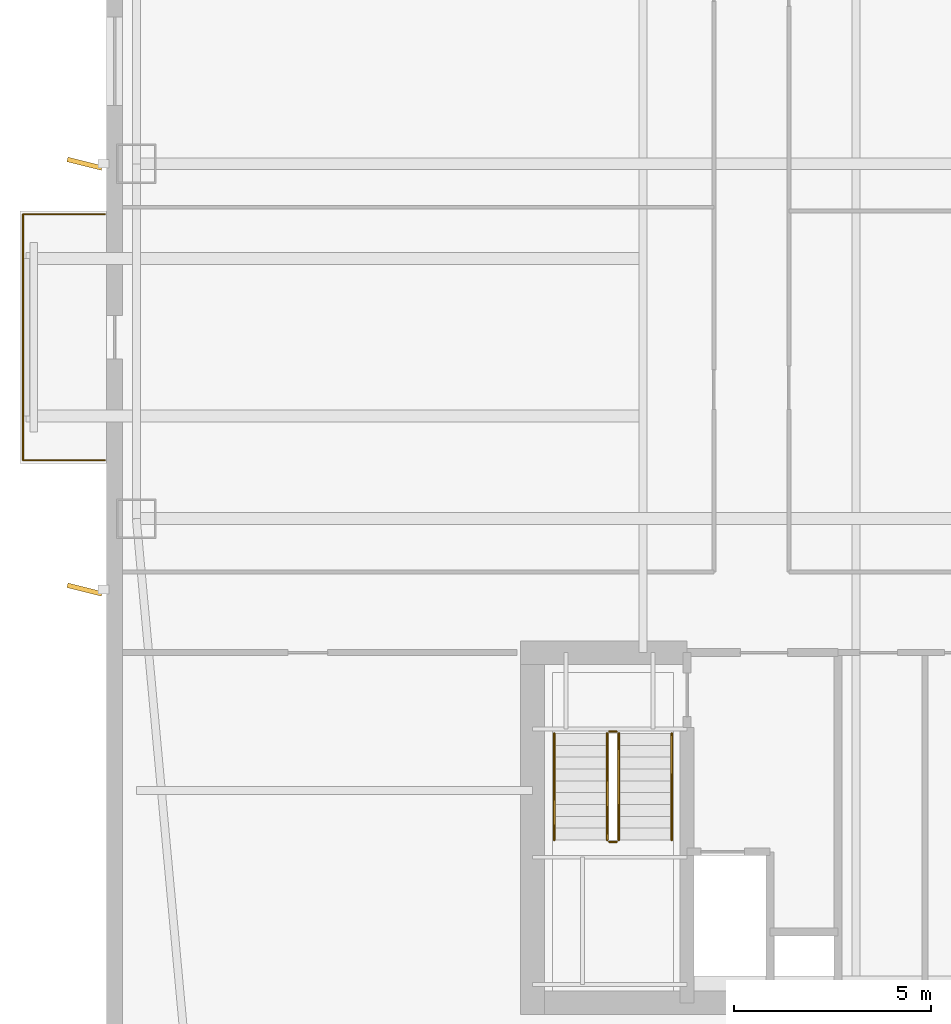
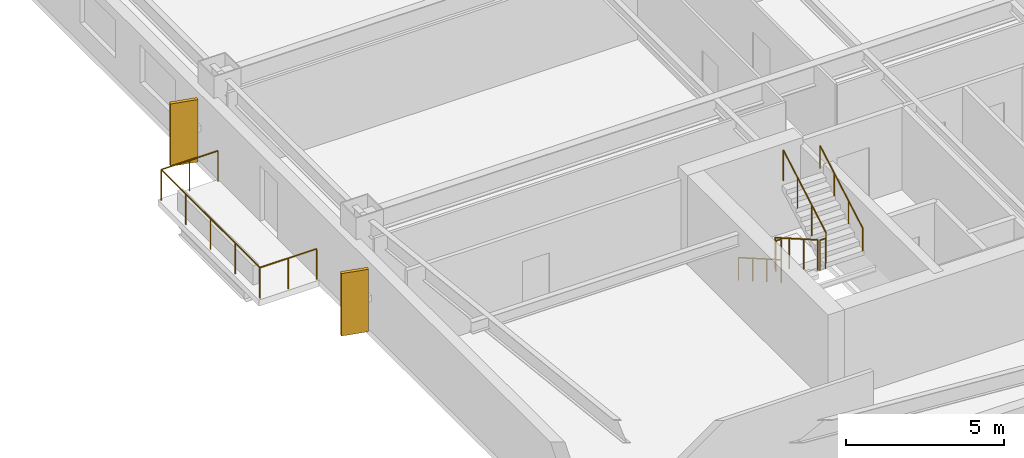
# One storey, part 13 of 17: 7 railings, 2 shading devices.
"""IFC4 building model written with IfcOpenShell, lengths in metres."""

from ifc_helpers import new_model, si_unit, direction, frame, origin, origin_2d, place, context, subcontext, project, spatial, rectangle, circle, extrude, material, layer, layer_set, type_object, element, save


model = new_model("IFC4")

# Units and contexts
model_context = context("Model", 3, precision=1e-05, world=origin(), true_north=direction((0.0, 1.0)))
body_context = subcontext(model_context, "Body", "Model", "MODEL_VIEW")
ifc_project = project(units=[si_unit("LENGTHUNIT", "METRE"), si_unit("AREAUNIT", "SQUARE_METRE"), si_unit("VOLUMEUNIT", "CUBIC_METRE"), si_unit("PLANEANGLEUNIT", "RADIAN"), si_unit("MASSUNIT", "GRAM", prefix="KILO")], contexts=[model_context])

# Site, building, storey
site_placement = place(None, origin())
site = spatial("IfcSite", under=ifc_project, at=site_placement, CompositionType="ELEMENT")
building_placement = place(site_placement, origin())
building = spatial("IfcBuilding", under=site, at=building_placement, Name="Qiaolan Cultural Towers", CompositionType="ELEMENT")
storey_placement = place(building_placement, frame((0.0, 0.0, 131.10009765625)))
storey = spatial("IfcBuildingStorey", under=building, at=storey_placement, Name="L34", CompositionType="ELEMENT", Elevation=131.10009765625)

# Railings
ifc_material_1 = material(Name="Laminated SentryGlas & Stainless Steel S31608 Balustrade", Category="steel")
railing_type_1 = type_object("IfcRailingType", Name="GRD-TERR-1200", PredefinedType="BALUSTRADE", material=ifc_material_1)
railing_1_placement = place(storey_placement, frame((10.949951171875, 26.47998046875, 0.0)))
element("IfcRailing", 1, at=railing_1_placement, inside=storey, type_object=railing_type_1, Name="L34 T1 Tree Balcony Guardrail W", PredefinedType="BALUSTRADE", context=body_context, shape_type="SweptSolid", body=[
    extrude(circle(Radius=0.02392578125, at=origin_2d()), frame((0.0, 0.0, 1.17578125), z_axis=(-1.0, 0.0, 0.0), x_axis=(0.0, -1.0, 0.0)), (0.0, 0.0, 1.0), 2.070068359375),
    extrude(circle(Radius=0.02392578125, at=origin_2d()), frame((-2.070068359375, 0.0, 1.17578125), z_axis=(0.0, 1.0, 0.0), x_axis=(-1.0, 0.0, 0.0)), (0.0, 0.0, 1.0), 6.239990234375),
    extrude(circle(Radius=0.02392578125, at=origin_2d()), frame((-2.070068359375, 6.239990234375, 1.17578125), z_axis=(1.0, 0.0, 0.0), x_axis=(0.0, 1.0, 0.0)), (0.0, 0.0, 1.0), 2.070068359375),
    extrude(circle(Radius=0.02099609375, at=origin_2d()), origin(), (0.0, 0.0, 1.0), 1.15185546875),
    extrude(circle(Radius=0.02099609375, at=origin_2d()), frame((-1.03515625, 0.0, 0.0)), (0.0, 0.0, 1.0), 1.15185546875),
    extrude(circle(Radius=0.02099609375, at=origin_2d()), frame((-2.070068359375, 0.0, 0.0)), (0.0, 0.0, 1.0), 1.15185546875),
    extrude(circle(Radius=0.02099609375, at=origin_2d()), frame((-2.070068359375, 1.56005859375, 0.0)), (0.0, 0.0, 1.0), 1.15185546875),
    extrude(circle(Radius=0.02099609375, at=origin_2d()), frame((-2.070068359375, 3.1201171875, 0.0)), (0.0, 0.0, 1.0), 1.15185546875),
    extrude(circle(Radius=0.02099609375, at=origin_2d()), frame((-2.070068359375, 4.679931640625, 0.0)), (0.0, 0.0, 1.0), 1.15185546875),
    extrude(circle(Radius=0.02099609375, at=origin_2d()), frame((-2.070068359375, 6.239990234375, 0.0)), (0.0, 0.0, 1.0), 1.15185546875),
    extrude(circle(Radius=0.02099609375, at=origin_2d()), frame((-1.03515625, 6.239990234375, 0.0)), (0.0, 0.0, 1.0), 1.15185546875),
    extrude(circle(Radius=0.02099609375, at=origin_2d()), frame((0.0, 6.239990234375, 0.0)), (0.0, 0.0, 1.0), 1.15185546875),
])
ifc_material_2 = material(Name="Galvanized Painted Steel Stair Guardrail", Category="steel")
railing_type_2 = type_object("IfcRailingType", Name="RL-STAIR-GRD", PredefinedType="GUARDRAIL", material=ifc_material_2)
railing_2_placement = place(storey_placement, frame((23.68994140625, 19.550048828125, 0.17236328125)))
element("IfcRailing", 2, at=railing_2_placement, inside=storey, type_object=railing_type_2, Name="L34 ST-W1 stair guard 1", PredefinedType="GUARDRAIL", context=body_context, shape_type="SweptSolid", body=[
    extrude(circle(Radius=0.02392578125, at=origin_2d()), frame((0.0, 0.0, 1.17578125), z_axis=(0.0, -0.866903762492, 0.498475542607), x_axis=(1.0, 0.0, 0.0)), (0.0, 0.0, 1.0), 3.114501953125),
    extrude(circle(Radius=0.02099609375, at=origin_2d()), origin(), (0.0, 0.0, 1.0), 1.15185546875),
    extrude(circle(Radius=0.02099609375, at=origin_2d()), frame((0.0, -0.89990234375, 0.517578125)), (0.0, 0.0, 1.0), 1.15185546875),
    extrude(circle(Radius=0.02099609375, at=origin_2d()), frame((0.0, -1.800048828125, 1.034912109375)), (0.0, 0.0, 1.0), 1.15185546875),
    extrude(circle(Radius=0.02099609375, at=origin_2d()), frame((0.0, -2.699951171875, 1.552490234375)), (0.0, 0.0, 1.0), 1.15185546875),
])
railing_3_placement = place(storey_placement, frame((23.739990234375, 16.800048828125, 1.724853515625)))
element("IfcRailing", 3, at=railing_3_placement, inside=storey, type_object=railing_type_2, Name="L34 ST-W1 stair guard 2", PredefinedType="GUARDRAIL", context=body_context, shape_type="SweptSolid", body=[
    extrude(circle(Radius=0.02392578125, at=origin_2d()), frame((0.0, 0.0, 1.17578125), z_axis=(1.0, 0.0, 0.0), x_axis=(0.0, 1.0, 0.0)), (0.0, 0.0, 1.0), 0.199951171875),
    extrude(circle(Radius=0.02099609375, at=origin_2d()), origin(), (0.0, 0.0, 1.0), 1.15185546875),
    extrude(circle(Radius=0.02099609375, at=origin_2d()), frame((0.199951171875, 0.0, 0.0)), (0.0, 0.0, 1.0), 1.15185546875),
])
railing_4_placement = place(storey_placement, frame((23.989990234375, 16.85009765625, 1.8974609375)))
element("IfcRailing", 4, at=railing_4_placement, inside=storey, type_object=railing_type_2, Name="L34 ST-W1 stair guard 3", PredefinedType="GUARDRAIL", context=body_context, shape_type="SweptSolid", body=[
    extrude(circle(Radius=0.02392578125, at=origin_2d()), frame((0.0, 0.0, 1.17578125), z_axis=(0.0, 0.866903762492, 0.498475542607), x_axis=(-1.0, 0.0, 0.0)), (0.0, 0.0, 1.0), 3.114501953125),
    extrude(circle(Radius=0.02099609375, at=origin_2d()), origin(), (0.0, 0.0, 1.0), 1.15185546875),
    extrude(circle(Radius=0.02099609375, at=origin_2d()), frame((0.0, 0.89990234375, 0.517578125)), (0.0, 0.0, 1.0), 1.15185546875),
    extrude(circle(Radius=0.02099609375, at=origin_2d()), frame((0.0, 1.800048828125, 1.034912109375)), (0.0, 0.0, 1.0), 1.15185546875),
    extrude(circle(Radius=0.02099609375, at=origin_2d()), frame((0.0, 2.699951171875, 1.552490234375)), (0.0, 0.0, 1.0), 1.15185546875),
])
railing_5_placement = place(storey_placement, frame((23.739990234375, 19.60009765625, 0.0)))
element("IfcRailing", 5, at=railing_5_placement, inside=storey, type_object=railing_type_2, Name="L34 ST-W1 stair guard 4", PredefinedType="GUARDRAIL", context=body_context, shape_type="SweptSolid", body=[
    extrude(circle(Radius=0.02392578125, at=origin_2d()), frame((0.0, 0.0, 1.17578125), z_axis=(1.0, 0.0, 0.0), x_axis=(0.0, 1.0, 0.0)), (0.0, 0.0, 1.0), 0.199951171875),
    extrude(circle(Radius=0.02099609375, at=origin_2d()), origin(), (0.0, 0.0, 1.0), 1.15185546875),
    extrude(circle(Radius=0.02099609375, at=origin_2d()), frame((0.199951171875, 0.0, 0.0)), (0.0, 0.0, 1.0), 1.15185546875),
])
ifc_material_3 = material(Name="Stainless Steel S30408 Tubular Handrail", Category="steel")
railing_type_3 = type_object("IfcRailingType", Name="RL-STAIR-HR", PredefinedType="HANDRAIL", material=ifc_material_3)
railing_6_placement = place(storey_placement, frame((22.35009765625, 19.550048828125, 0.17236328125)))
element("IfcRailing", 6, at=railing_6_placement, inside=storey, type_object=railing_type_3, Name="L34 ST-W1 stair handrail 1", PredefinedType="HANDRAIL", context=body_context, shape_type="SweptSolid", body=[
    extrude(circle(Radius=0.02392578125, at=origin_2d()), frame((0.0, 0.0, 0.8759765625), z_axis=(0.0, -0.866903762492, 0.498475542607), x_axis=(1.0, 0.0, 0.0)), (0.0, 0.0, 1.0), 3.114501953125),
    extrude(circle(Radius=0.02099609375, at=origin_2d()), origin(), (0.0, 0.0, 1.0), 0.851806640625),
    extrude(circle(Radius=0.02099609375, at=origin_2d()), frame((0.0, -0.89990234375, 0.517578125)), (0.0, 0.0, 1.0), 0.851806640625),
    extrude(circle(Radius=0.02099609375, at=origin_2d()), frame((0.0, -1.800048828125, 1.034912109375)), (0.0, 0.0, 1.0), 0.851806640625),
    extrude(circle(Radius=0.02099609375, at=origin_2d()), frame((0.0, -2.699951171875, 1.552490234375)), (0.0, 0.0, 1.0), 0.851806640625),
])
railing_7_placement = place(storey_placement, frame((25.330078125, 16.85009765625, 1.8974609375)))
element("IfcRailing", 7, at=railing_7_placement, inside=storey, type_object=railing_type_3, Name="L34 ST-W1 stair handrail 2", PredefinedType="HANDRAIL", context=body_context, shape_type="SweptSolid", body=[
    extrude(circle(Radius=0.02392578125, at=origin_2d()), frame((0.0, 0.0, 0.8759765625), z_axis=(0.0, 0.866903762492, 0.498475542607), x_axis=(-1.0, 0.0, 0.0)), (0.0, 0.0, 1.0), 3.114501953125),
    extrude(circle(Radius=0.02099609375, at=origin_2d()), origin(), (0.0, 0.0, 1.0), 0.851806640625),
    extrude(circle(Radius=0.02099609375, at=origin_2d()), frame((0.0, 0.89990234375, 0.517578125)), (0.0, 0.0, 1.0), 0.851806640625),
    extrude(circle(Radius=0.02099609375, at=origin_2d()), frame((0.0, 1.800048828125, 1.034912109375)), (0.0, 0.0, 1.0), 0.851806640625),
    extrude(circle(Radius=0.02099609375, at=origin_2d()), frame((0.0, 2.699951171875, 1.552490234375)), (0.0, 0.0, 1.0), 0.851806640625),
])

# Shading devices
ifc_material_4 = material(Name="Pierced Warm Terracotta Acoustic Fin", Category="masonry")
ifc_layer = layer(ifc_material_4, 0.1201171875)
ifc_layer_set = layer_set([ifc_layer], Name="Pierced Warm Terracotta Acoustic Fin")
shading_device_type = type_object("IfcShadingDeviceType", Name="SHD-FIN-PIERCED", PredefinedType="USERDEFINED", material=ifc_layer_set)
for number, where, z_axis, x_axis, name in (
    (8, (10.43994140625, 23.199951171875, 0.10009765625), (0.0, 0.0, 1.0), (0.969891617581, -0.243536958479, 0.0), "L34 T1 Expressive Precast Vertical Fin W1"),
    (9, (10.43994140625, 34.0, 0.10009765625), (0.0, 0.0, 1.0), (0.969891617581, -0.243536958479, 0.0), "L34 T1 Expressive Precast Vertical Fin W2"),
):
    element("IfcShadingDevice", number, at=place(storey_placement, frame(where, z_axis=z_axis, x_axis=x_axis)), inside=storey, type_object=shading_device_type, Name=name, ObjectType="FIN", PredefinedType="USERDEFINED", context=body_context, shape_type="SweptSolid", body=[
        extrude(rectangle(XDim=0.89990234375, YDim=0.1201171875, at=origin_2d()), origin(), (0.0, 0.0, 1.0), 2.409912109375),
    ])

save(model, "model.ifc")
